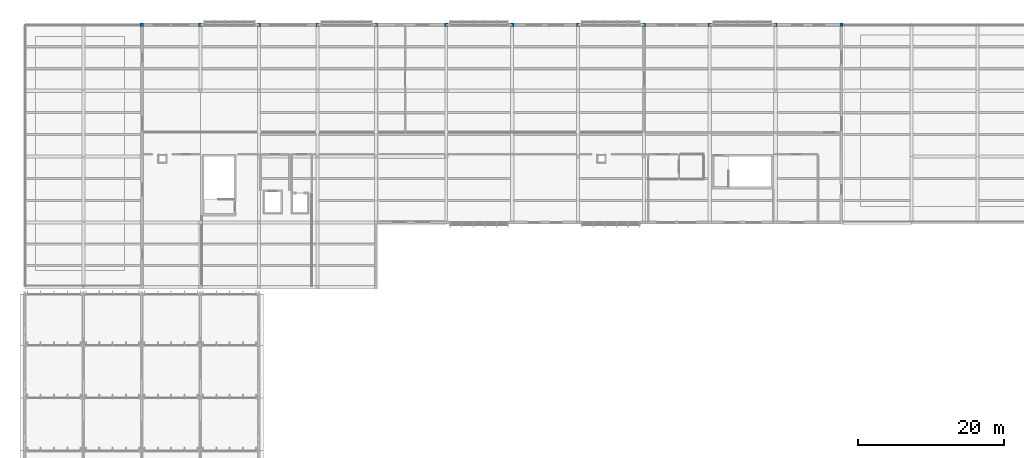
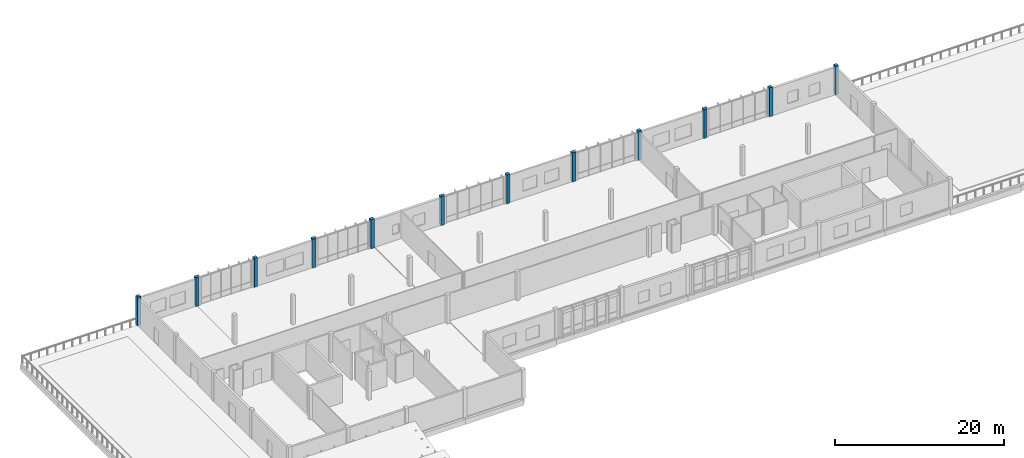
# One storey, part 5 of 94: 12 columns.
"""IFC4 building model written with IfcOpenShell, lengths in metres."""

from ifc_helpers import new_model, si_unit, direction, frame, origin, origin_2d, place, context, subcontext, project, spatial, rectangle, extrude, material, material_profile, profile_set, type_object, element, save


model = new_model("IFC4")

# Units and contexts
model_context = context("Model", 3, precision=1e-05, world=origin(), true_north=direction((0.0, 1.0)))
body_context = subcontext(model_context, "Body", "Model", "MODEL_VIEW")
ifc_project = project(units=[si_unit("LENGTHUNIT", "METRE"), si_unit("AREAUNIT", "SQUARE_METRE"), si_unit("VOLUMEUNIT", "CUBIC_METRE"), si_unit("PLANEANGLEUNIT", "RADIAN"), si_unit("MASSUNIT", "GRAM", prefix="KILO")], contexts=[model_context])

# Site, building, storey
site_placement = place(None, origin())
site = spatial("IfcSite", under=ifc_project, at=site_placement, CompositionType="ELEMENT")
building_placement = place(site_placement, origin())
building = spatial("IfcBuilding", under=site, at=building_placement, Name="Chiffa Square Polytechnic", CompositionType="ELEMENT")
storey_placement = place(building_placement, frame((0.0, 0.0, 18.0)))
storey = spatial("IfcBuildingStorey", under=building, at=storey_placement, Name="L04", CompositionType="ELEMENT", Elevation=18.0)

# Columns
ifc_material = material(Name="Concrete C35/45", Category="concrete")
ifc_material_profile = material_profile(ifc_material, rectangle(XDim=0.449951171875, YDim=0.449951171875, at=origin_2d()), Name="RC 450x450")
ifc_profile_set = profile_set([ifc_material_profile], Name="Concrete C35/45")
column_type = type_object("IfcColumnType", Name="COL-RC-450", PredefinedType="COLUMN", material=ifc_profile_set)
for number, where, z_axis, x_axis, name in (
    (1, (16.0, 130.800048828125, 0.0), (0.0, 0.0, 1.0), (1.0, 0.0, 0.0), "Column C-V5-L04-0160-1308"),
    (2, (24.0, 130.800048828125, 0.0), (0.0, 0.0, 1.0), (1.0, 0.0, 0.0), "Column C-V5-L04-0240-1308"),
    (3, (32.0, 130.800048828125, 0.0), (0.0, 0.0, 1.0), (1.0, 0.0, 0.0), "Column C-V5-L04-0320-1308"),
    (4, (40.0, 130.800048828125, 0.0), (0.0, 0.0, 1.0), (1.0, 0.0, 0.0), "Column C-V5-L04-0400-1308"),
    (5, (48.0, 130.800048828125, 0.0), (0.0, 0.0, 1.0), (1.0, 0.0, 0.0), "Column C-V5-L04-0480-1308"),
    (6, (57.60009765625, 130.800048828125, 0.0), (0.0, 0.0, 1.0), (1.0, 0.0, 0.0), "Column C-V5-L04-0576-1308"),
    (7, (66.60009765625, 130.800048828125, 0.0), (0.0, 0.0, 1.0), (1.0, 0.0, 0.0), "Column C-V5-L04-0666-1308"),
    (8, (75.60009765625, 130.800048828125, 0.0), (0.0, 0.0, 1.0), (1.0, 0.0, 0.0), "Column C-V5-L04-0756-1308"),
    (9, (84.60009765625, 130.800048828125, 0.0), (0.0, 0.0, 1.0), (1.0, 0.0, 0.0), "Column C-V5-L04-0846-1308"),
    (10, (93.60009765625, 130.800048828125, 0.0), (0.0, 0.0, 1.0), (1.0, 0.0, 0.0), "Column C-V5-L04-0936-1308"),
    (11, (102.60009765625, 130.800048828125, 0.0), (0.0, 0.0, 1.0), (1.0, 0.0, 0.0), "Column C-V5-L04-1026-1308"),
    (12, (111.60009765625, 130.800048828125, 0.0), (0.0, 0.0, 1.0), (1.0, 0.0, 0.0), "Column C-V5-L04-1116-1308"),
):
    element("IfcColumn", number, at=place(storey_placement, frame(where, z_axis=z_axis, x_axis=x_axis)), inside=storey, type_object=column_type, Name=name, PredefinedType="COLUMN", context=body_context, shape_type="SweptSolid", body=[
        extrude(rectangle(XDim=0.449951171875, YDim=0.449951171875, at=origin_2d()), origin(), (0.0, 0.0, 1.0), 4.199951171875),
    ])

save(model, "model.ifc")
